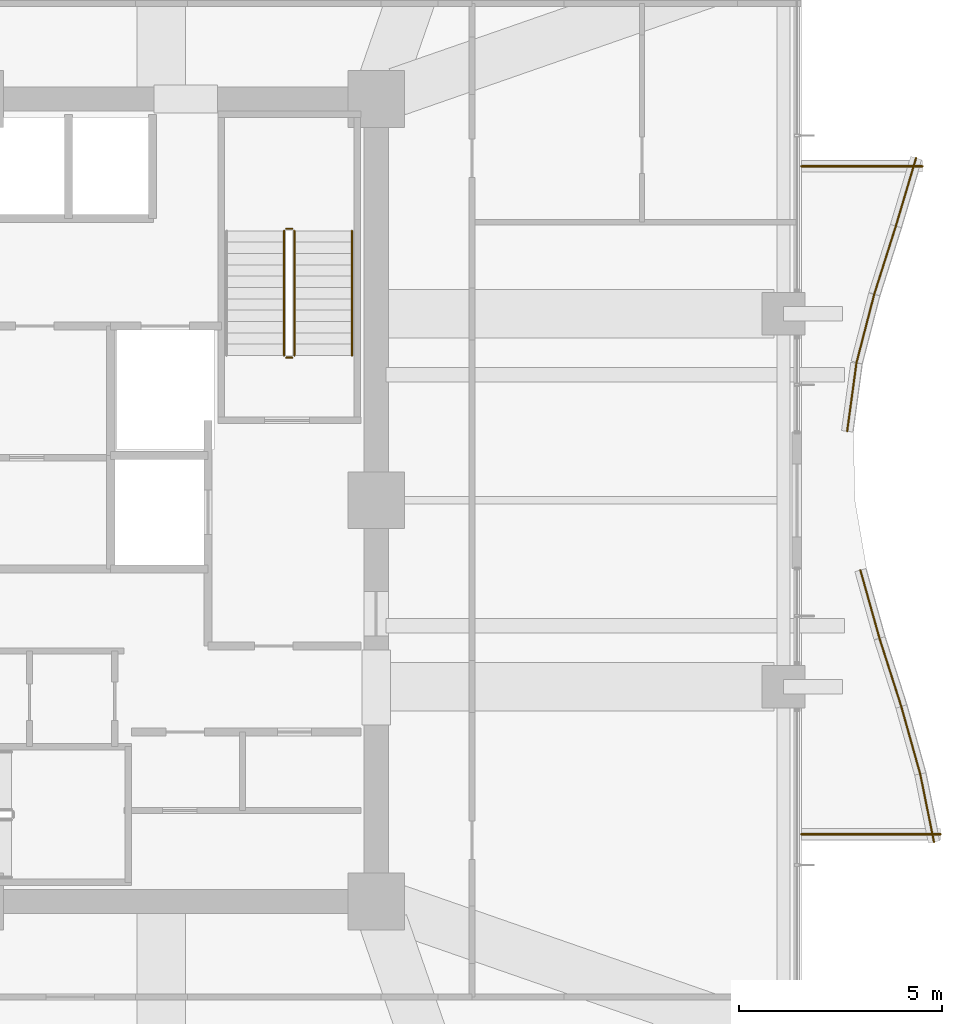
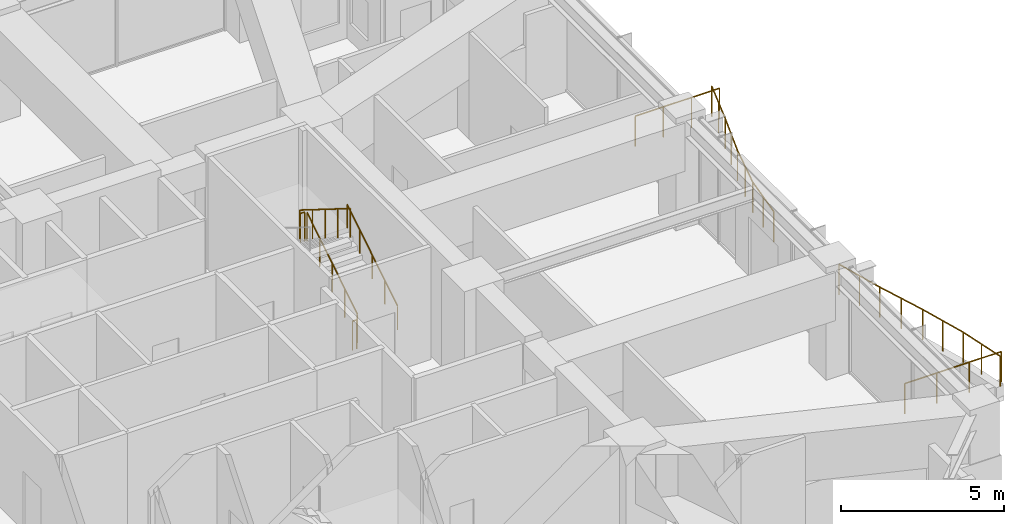
# One storey, part 39 of 40: 15 railings.
"""IFC4 building model written with IfcOpenShell, lengths in metres."""

from ifc_helpers import new_model, si_unit, direction, frame, origin, origin_2d, place, context, subcontext, project, spatial, circle, extrude, material, type_object, element, save


model = new_model("IFC4")

# Units and contexts
model_context = context("Model", 3, precision=1e-05, world=origin(), true_north=direction((0.0, 1.0)))
body_context = subcontext(model_context, "Body", "Model", "MODEL_VIEW")
ifc_project = project(units=[si_unit("LENGTHUNIT", "METRE"), si_unit("AREAUNIT", "SQUARE_METRE"), si_unit("VOLUMEUNIT", "CUBIC_METRE"), si_unit("PLANEANGLEUNIT", "RADIAN"), si_unit("MASSUNIT", "GRAM", prefix="KILO")], contexts=[model_context])

# Site, building, storey
site_placement = place(None, origin())
site = spatial("IfcSite", under=ifc_project, at=site_placement, CompositionType="ELEMENT")
building_placement = place(site_placement, origin())
building = spatial("IfcBuilding", under=site, at=building_placement, Name="Kolvaren Belvedere", CompositionType="ELEMENT")
storey_placement = place(building_placement, frame((0.0, 0.0, 68.0)))
storey = spatial("IfcBuildingStorey", under=building, at=storey_placement, Name="L19", CompositionType="ELEMENT", Elevation=68.0)

# Railings
ifc_material_1 = material(Name="Anodised pale-metal aluminium & laminated glass guard", Category="aluminium")
railing_type_1 = type_object("IfcRailingType", Name="RL-GUARD-1150", PredefinedType="GUARDRAIL", material=ifc_material_1)
railing_1_placement = place(storey_placement, frame((23.6630859375, -8.431884765625, 0.300048828125)))
element("IfcRailing", 1, at=railing_1_placement, inside=storey, type_object=railing_type_1, Name="L19 Exterior Deck Safety Guard BAL-E-1", PredefinedType="GUARDRAIL", context=body_context, shape_type="SweptSolid", body=[
    extrude(circle(Radius=0.02392578125, at=origin_2d()), frame((0.0, 0.0, 1.1259765625), z_axis=(-0.198662427795, 0.980067977123, 0.0), x_axis=(-0.980067977123, -0.198662427795, 0.0)), (0.0, 0.0, 1.0), 1.71435546875),
    extrude(circle(Radius=0.02099609375, at=origin_2d()), origin(), (0.0, 0.0, 1.0), 1.101806640625),
    extrude(circle(Radius=0.02099609375, at=origin_2d()), frame((-0.17041015625, 0.840087890625, 0.0)), (0.0, 0.0, 1.0), 1.101806640625),
    extrude(circle(Radius=0.02099609375, at=origin_2d()), frame((-0.340576171875, 1.68017578125, 0.0)), (0.0, 0.0, 1.0), 1.101806640625),
])
railing_2_placement = place(storey_placement, frame((23.3251953125, -6.76318359375, 0.300048828125)))
element("IfcRailing", 2, at=railing_2_placement, inside=storey, type_object=railing_type_1, Name="L19 Exterior Deck Safety Guard BAL-E-2", PredefinedType="GUARDRAIL", context=body_context, shape_type="SweptSolid", body=[
    extrude(circle(Radius=0.02392578125, at=origin_2d()), frame((0.0, 0.0, 1.1259765625), z_axis=(-0.269801210823, 0.962916043401, 0.0), x_axis=(-0.962916043401, -0.269801210823, 0.0)), (0.0, 0.0, 1.0), 1.74462890625),
    extrude(circle(Radius=0.02099609375, at=origin_2d()), origin(), (0.0, 0.0, 1.0), 1.101806640625),
    extrude(circle(Radius=0.02099609375, at=origin_2d()), frame((-0.2353515625, 0.83984375, 0.0)), (0.0, 0.0, 1.0), 1.101806640625),
    extrude(circle(Radius=0.02099609375, at=origin_2d()), frame((-0.470703125, 1.679931640625, 0.0)), (0.0, 0.0, 1.0), 1.101806640625),
])
railing_3_placement = place(storey_placement, frame((22.856201171875, -5.088623046875, 0.300048828125)))
element("IfcRailing", 3, at=railing_3_placement, inside=storey, type_object=railing_type_1, Name="L19 Exterior Deck Safety Guard BAL-E-3", PredefinedType="GUARDRAIL", context=body_context, shape_type="SweptSolid", body=[
    extrude(circle(Radius=0.02392578125, at=origin_2d()), frame((0.0, 0.0, 1.1259765625), z_axis=(-0.304534629099, 0.952501264923, 0.0), x_axis=(-0.952501264923, -0.304534629099, 0.0)), (0.0, 0.0, 1.0), 1.763671875),
    extrude(circle(Radius=0.02099609375, at=origin_2d()), origin(), (0.0, 0.0, 1.0), 1.101806640625),
    extrude(circle(Radius=0.02099609375, at=origin_2d()), frame((-0.2685546875, 0.83984375, 0.0)), (0.0, 0.0, 1.0), 1.101806640625),
    extrude(circle(Radius=0.02099609375, at=origin_2d()), frame((-0.537109375, 1.679931640625, 0.0)), (0.0, 0.0, 1.0), 1.101806640625),
])
railing_4_placement = place(storey_placement, frame((22.3173828125, -3.4033203125, 0.300048828125)))
element("IfcRailing", 4, at=railing_4_placement, inside=storey, type_object=railing_type_1, Name="L19 Exterior Deck Safety Guard BAL-E-4", PredefinedType="GUARDRAIL", context=body_context, shape_type="SweptSolid", body=[
    extrude(circle(Radius=0.02392578125, at=origin_2d()), frame((0.0, 0.0, 1.1259765625), z_axis=(-0.269764860108, 0.962926227834, 0.0), x_axis=(-0.962926227834, -0.269764860108, 0.0)), (0.0, 0.0, 1.0), 1.744873046875),
    extrude(circle(Radius=0.02099609375, at=origin_2d()), origin(), (0.0, 0.0, 1.0), 1.101806640625),
    extrude(circle(Radius=0.02099609375, at=origin_2d()), frame((-0.2353515625, 0.840087890625, 0.0)), (0.0, 0.0, 1.0), 1.101806640625),
    extrude(circle(Radius=0.02099609375, at=origin_2d()), frame((-0.470703125, 1.68017578125, 0.0)), (0.0, 0.0, 1.0), 1.101806640625),
])
railing_5_placement = place(storey_placement, frame((21.5205078125, 1.70166015625, 0.300048828125)))
element("IfcRailing", 5, at=railing_5_placement, inside=storey, type_object=railing_type_1, Name="L19 Exterior Deck Safety Guard BAL-E-7", PredefinedType="GUARDRAIL", context=body_context, shape_type="SweptSolid", body=[
    extrude(circle(Radius=0.02392578125, at=origin_2d()), frame((0.0, 0.0, 1.1259765625), z_axis=(0.134926850989, 0.990855562068, 0.0), x_axis=(-0.990855562068, 0.134926850989, 0.0)), (0.0, 0.0, 1.0), 1.695556640625),
    extrude(circle(Radius=0.02099609375, at=origin_2d()), origin(), (0.0, 0.0, 1.0), 1.101806640625),
    extrude(circle(Radius=0.02099609375, at=origin_2d()), frame((0.1142578125, 0.83984375, 0.0)), (0.0, 0.0, 1.0), 1.101806640625),
    extrude(circle(Radius=0.02099609375, at=origin_2d()), frame((0.228759765625, 1.679931640625, 0.0)), (0.0, 0.0, 1.0), 1.101806640625),
])
railing_6_placement = place(storey_placement, frame((21.7529296875, 3.400146484375, 0.300048828125)))
element("IfcRailing", 6, at=railing_6_placement, inside=storey, type_object=railing_type_1, Name="L19 Exterior Deck Safety Guard BAL-E-8", PredefinedType="GUARDRAIL", context=body_context, shape_type="SweptSolid", body=[
    extrude(circle(Radius=0.02392578125, at=origin_2d()), frame((0.0, 0.0, 1.1259765625), z_axis=(0.250439664624, 0.968132209145, 0.0), x_axis=(-0.968132209145, 0.250439664624, 0.0)), (0.0, 0.0, 1.0), 1.7353515625),
    extrude(circle(Radius=0.02099609375, at=origin_2d()), origin(), (0.0, 0.0, 1.0), 1.101806640625),
    extrude(circle(Radius=0.02099609375, at=origin_2d()), frame((0.21728515625, 0.83984375, 0.0)), (0.0, 0.0, 1.0), 1.101806640625),
    extrude(circle(Radius=0.02099609375, at=origin_2d()), frame((0.4345703125, 1.679931640625, 0.0)), (0.0, 0.0, 1.0), 1.101806640625),
])
railing_7_placement = place(storey_placement, frame((22.18994140625, 5.08837890625, 0.300048828125)))
element("IfcRailing", 7, at=railing_7_placement, inside=storey, type_object=railing_type_1, Name="L19 Exterior Deck Safety Guard BAL-E-9", PredefinedType="GUARDRAIL", context=body_context, shape_type="SweptSolid", body=[
    extrude(circle(Radius=0.02392578125, at=origin_2d()), frame((0.0, 0.0, 1.1259765625), z_axis=(0.302397356111, 0.953181954832, 0.0), x_axis=(-0.953181954832, 0.302397356111, 0.0)), (0.0, 0.0, 1.0), 1.762451171875),
    extrude(circle(Radius=0.02099609375, at=origin_2d()), origin(), (0.0, 0.0, 1.0), 1.101806640625),
    extrude(circle(Radius=0.02099609375, at=origin_2d()), frame((0.2666015625, 0.83984375, 0.0)), (0.0, 0.0, 1.0), 1.101806640625),
    extrude(circle(Radius=0.02099609375, at=origin_2d()), frame((0.532958984375, 1.679931640625, 0.0)), (0.0, 0.0, 1.0), 1.101806640625),
])
railing_8_placement = place(storey_placement, frame((22.721923828125, 6.765625, 0.300048828125)))
element("IfcRailing", 8, at=railing_8_placement, inside=storey, type_object=railing_type_1, Name="L19 Exterior Deck Safety Guard BAL-E-10", PredefinedType="GUARDRAIL", context=body_context, shape_type="SweptSolid", body=[
    extrude(circle(Radius=0.02392578125, at=origin_2d()), frame((0.0, 0.0, 1.1259765625), z_axis=(0.28500831833, 0.958525043221, 0.0), x_axis=(-0.958525043221, 0.28500831833, 0.0)), (0.0, 0.0, 1.0), 1.752685546875),
    extrude(circle(Radius=0.02099609375, at=origin_2d()), origin(), (0.0, 0.0, 1.0), 1.101806640625),
    extrude(circle(Radius=0.02099609375, at=origin_2d()), frame((0.249755859375, 0.83984375, 0.0)), (0.0, 0.0, 1.0), 1.101806640625),
    extrude(circle(Radius=0.02099609375, at=origin_2d()), frame((0.49951171875, 1.679931640625, 0.0)), (0.0, 0.0, 1.0), 1.101806640625),
])
railing_9_placement = place(storey_placement, frame((23.374755859375, 8.239990234375, 0.300048828125)))
element("IfcRailing", 9, at=railing_9_placement, inside=storey, type_object=railing_type_1, Name="L19 Exterior Deck Safety Guard BAL-E-11", PredefinedType="GUARDRAIL", context=body_context, shape_type="SweptSolid", body=[
    extrude(circle(Radius=0.02392578125, at=origin_2d()), frame((0.0, 0.0, 1.1259765625), z_axis=(-1.0, 0.0, 0.0), x_axis=(0.0, -1.0, 0.0)), (0.0, 0.0, 1.0), 2.974853515625),
    extrude(circle(Radius=0.02099609375, at=origin_2d()), origin(), (0.0, 0.0, 1.0), 1.101806640625),
    extrude(circle(Radius=0.02099609375, at=origin_2d()), frame((-0.99169921875, 0.0, 0.0)), (0.0, 0.0, 1.0), 1.101806640625),
    extrude(circle(Radius=0.02099609375, at=origin_2d()), frame((-1.983154296875, 0.0, 0.0)), (0.0, 0.0, 1.0), 1.101806640625),
    extrude(circle(Radius=0.02099609375, at=origin_2d()), frame((-2.974853515625, 0.0, 0.0)), (0.0, 0.0, 1.0), 1.101806640625),
])
railing_10_placement = place(storey_placement, frame((20.39990234375, -8.239990234375, 0.300048828125)))
element("IfcRailing", 10, at=railing_10_placement, inside=storey, type_object=railing_type_1, Name="L19 Exterior Deck Safety Guard BAL-E-22", PredefinedType="GUARDRAIL", context=body_context, shape_type="SweptSolid", body=[
    extrude(circle(Radius=0.02392578125, at=origin_2d()), frame((0.0, 0.0, 1.1259765625), z_axis=(1.0, 0.0, 0.0), x_axis=(0.0, 1.0, 0.0)), (0.0, 0.0, 1.0), 3.420166015625),
    extrude(circle(Radius=0.02099609375, at=origin_2d()), origin(), (0.0, 0.0, 1.0), 1.101806640625),
    extrude(circle(Radius=0.02099609375, at=origin_2d()), frame((1.14013671875, 0.0, 0.0)), (0.0, 0.0, 1.0), 1.101806640625),
    extrude(circle(Radius=0.02099609375, at=origin_2d()), frame((2.280029296875, 0.0, 0.0)), (0.0, 0.0, 1.0), 1.101806640625),
    extrude(circle(Radius=0.02099609375, at=origin_2d()), frame((3.420166015625, 0.0, 0.0)), (0.0, 0.0, 1.0), 1.101806640625),
])
ifc_material_2 = material(Name="Brushed stainless-steel handrail", Category="steel")
railing_type_2 = type_object("IfcRailingType", Name="RL-HANDRAIL-920", PredefinedType="HANDRAIL", material=ifc_material_2)
railing_11_placement = place(storey_placement, frame((9.300048828125, 3.570068359375, 0.175048828125)))
element("IfcRailing", 11, at=railing_11_placement, inside=storey, type_object=railing_type_2, Name="L19 ST-2 stair handrail 1", PredefinedType="HANDRAIL", context=body_context, shape_type="SweptSolid", body=[
    extrude(circle(Radius=0.02392578125, at=origin_2d()), frame((0.0, 0.0, 0.8759765625), z_axis=(0.0, 0.847979421464, 0.530029150871), x_axis=(-1.0, 0.0, 0.0)), (0.0, 0.0, 1.0), 3.632080078125),
    extrude(circle(Radius=0.02099609375, at=origin_2d()), origin(), (0.0, 0.0, 1.0), 0.851806640625),
    extrude(circle(Radius=0.02099609375, at=origin_2d()), frame((0.0, 0.77001953125, 0.481201171875)), (0.0, 0.0, 1.0), 0.851806640625),
    extrude(circle(Radius=0.02099609375, at=origin_2d()), frame((0.0, 1.5400390625, 0.96240234375)), (0.0, 0.0, 1.0), 0.851806640625),
    extrude(circle(Radius=0.02099609375, at=origin_2d()), frame((0.0, 2.309814453125, 1.44384765625)), (0.0, 0.0, 1.0), 0.851806640625),
    extrude(circle(Radius=0.02099609375, at=origin_2d()), frame((0.0, 3.079833984375, 1.925048828125)), (0.0, 0.0, 1.0), 0.851806640625),
])
ifc_material_3 = material(Name="Painted tubular steel stair guard", Category="steel")
railing_type_3 = type_object("IfcRailingType", Name="RL-STGUARD-1100", PredefinedType="GUARDRAIL", material=ifc_material_3)
railing_12_placement = place(storey_placement, frame((7.8798828125, 3.570068359375, 0.175048828125)))
element("IfcRailing", 12, at=railing_12_placement, inside=storey, type_object=railing_type_3, Name="L19 ST-2 stair guard 1", PredefinedType="GUARDRAIL", context=body_context, shape_type="SweptSolid", body=[
    extrude(circle(Radius=0.02392578125, at=origin_2d()), frame((0.0, 0.0, 1.076171875), z_axis=(0.0, 0.847979421464, 0.530029150871), x_axis=(-1.0, 0.0, 0.0)), (0.0, 0.0, 1.0), 3.632080078125),
    extrude(circle(Radius=0.02099609375, at=origin_2d()), origin(), (0.0, 0.0, 1.0), 1.052001953125),
    extrude(circle(Radius=0.02099609375, at=origin_2d()), frame((0.0, 0.77001953125, 0.481201171875)), (0.0, 0.0, 1.0), 1.052001953125),
    extrude(circle(Radius=0.02099609375, at=origin_2d()), frame((0.0, 1.5400390625, 0.96240234375)), (0.0, 0.0, 1.0), 1.052001953125),
    extrude(circle(Radius=0.02099609375, at=origin_2d()), frame((0.0, 2.309814453125, 1.44384765625)), (0.0, 0.0, 1.0), 1.052001953125),
    extrude(circle(Radius=0.02099609375, at=origin_2d()), frame((0.0, 3.079833984375, 1.925048828125)), (0.0, 0.0, 1.0), 1.052001953125),
])
railing_13_placement = place(storey_placement, frame((7.830078125, 6.699951171875, 2.10009765625)))
element("IfcRailing", 13, at=railing_13_placement, inside=storey, type_object=railing_type_3, Name="L19 ST-2 stair guard 2", PredefinedType="GUARDRAIL", context=body_context, shape_type="SweptSolid", body=[
    extrude(circle(Radius=0.02392578125, at=origin_2d()), frame((0.0, 0.0, 1.076171875), z_axis=(-1.0, 0.0, 0.0), x_axis=(0.0, -1.0, 0.0)), (0.0, 0.0, 1.0), 0.150146484375),
    extrude(circle(Radius=0.02099609375, at=origin_2d()), origin(), (0.0, 0.0, 1.0), 1.052001953125),
    extrude(circle(Radius=0.02099609375, at=origin_2d()), frame((-0.150146484375, 0.0, 0.0)), (0.0, 0.0, 1.0), 1.052001953125),
])
railing_14_placement = place(storey_placement, frame((7.6298828125, 6.64990234375, 2.27490234375)))
element("IfcRailing", 14, at=railing_14_placement, inside=storey, type_object=railing_type_3, Name="L19 ST-2 stair guard 3", PredefinedType="GUARDRAIL", context=body_context, shape_type="SweptSolid", body=[
    extrude(circle(Radius=0.02392578125, at=origin_2d()), frame((0.0, 0.0, 1.076171875), z_axis=(0.0, -0.847979421464, 0.530029150871), x_axis=(1.0, 0.0, 0.0)), (0.0, 0.0, 1.0), 3.632080078125),
    extrude(circle(Radius=0.02099609375, at=origin_2d()), origin(), (0.0, 0.0, 1.0), 1.052001953125),
    extrude(circle(Radius=0.02099609375, at=origin_2d()), frame((0.0, -0.77001953125, 0.481201171875)), (0.0, 0.0, 1.0), 1.052001953125),
    extrude(circle(Radius=0.02099609375, at=origin_2d()), frame((0.0, -1.5400390625, 0.96240234375)), (0.0, 0.0, 1.0), 1.052001953125),
    extrude(circle(Radius=0.02099609375, at=origin_2d()), frame((0.0, -2.309814453125, 1.44384765625)), (0.0, 0.0, 1.0), 1.052001953125),
    extrude(circle(Radius=0.02099609375, at=origin_2d()), frame((0.0, -3.079833984375, 1.925048828125)), (0.0, 0.0, 1.0), 1.052001953125),
])
railing_15_placement = place(storey_placement, frame((7.830078125, 3.52001953125, 0.0)))
element("IfcRailing", 15, at=railing_15_placement, inside=storey, type_object=railing_type_3, Name="L19 ST-2 stair guard 4", PredefinedType="GUARDRAIL", context=body_context, shape_type="SweptSolid", body=[
    extrude(circle(Radius=0.02392578125, at=origin_2d()), frame((0.0, 0.0, 1.076171875), z_axis=(-1.0, 0.0, 0.0), x_axis=(0.0, -1.0, 0.0)), (0.0, 0.0, 1.0), 0.150146484375),
    extrude(circle(Radius=0.02099609375, at=origin_2d()), origin(), (0.0, 0.0, 1.0), 1.052001953125),
    extrude(circle(Radius=0.02099609375, at=origin_2d()), frame((-0.150146484375, 0.0, 0.0)), (0.0, 0.0, 1.0), 1.052001953125),
])

save(model, "model.ifc")
